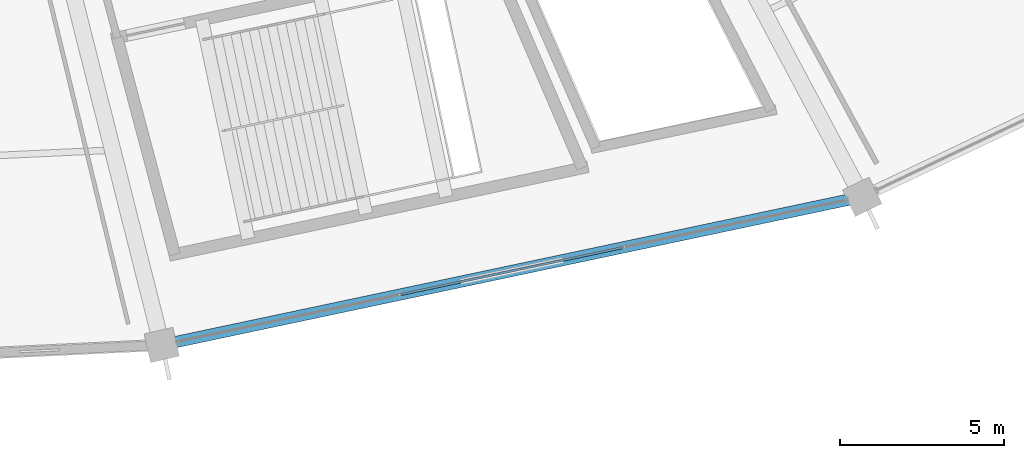
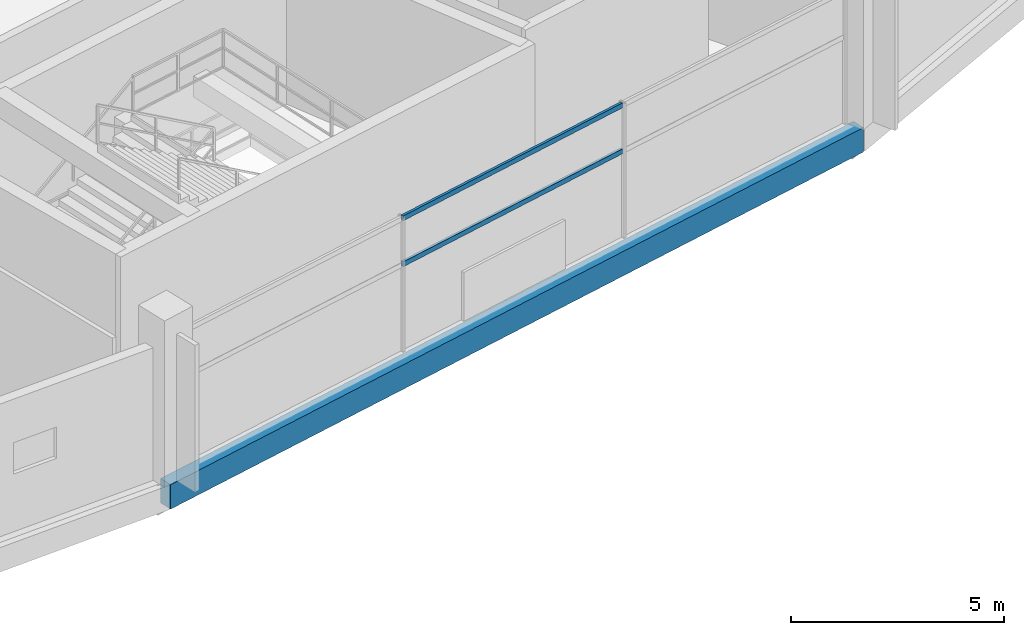
# One storey, part 40 of 156: 2 members, 1 beam, 1 element without a shape of its own.
"""IFC4 building model written with IfcOpenShell, lengths in metres."""

from ifc_helpers import new_model, si_unit, direction, frame, origin, origin_2d, place, context, subcontext, project, spatial, rectangle, hollow_rectangle, extrude, material, layer, layer_set, material_profile, profile_set, type_object, element, aggregate, save


model = new_model("IFC4")

# Units and contexts
model_context = context("Model", 3, precision=1e-05, world=origin(), true_north=direction((0.0, 1.0)))
body_context = subcontext(model_context, "Body", "Model", "MODEL_VIEW")
ifc_project = project(units=[si_unit("LENGTHUNIT", "METRE"), si_unit("AREAUNIT", "SQUARE_METRE"), si_unit("VOLUMEUNIT", "CUBIC_METRE"), si_unit("PLANEANGLEUNIT", "RADIAN"), si_unit("MASSUNIT", "GRAM", prefix="KILO")], contexts=[model_context])

# Site, building, storey
site_placement = place(None, origin())
site = spatial("IfcSite", under=ifc_project, at=site_placement, CompositionType="ELEMENT")
building_placement = place(site_placement, origin())
building = spatial("IfcBuilding", under=site, at=building_placement, Name="Kazemori Nagisa Stadium", CompositionType="ELEMENT")
storey_placement = place(building_placement, frame((0.0, 0.0, 5.780029296875)))
storey = spatial("IfcBuildingStorey", under=building, at=storey_placement, Name="L01", CompositionType="ELEMENT", Elevation=5.780029296875)

# Beam
ifc_material_1 = material(Name="Concrete C40/50 (Fc42)", Category="concrete")
ifc_material_profile_1 = material_profile(ifc_material_1, rectangle(XDim=0.35009765625, YDim=0.699951171875, at=origin_2d()), Name="RC-SP-350x700")
ifc_profile_set_1 = profile_set([ifc_material_profile_1], Name="Concrete C40/50 (Fc42)")
beam_type = type_object("IfcBeamType", Name="Beam_BS-RC350X700", PredefinedType="SPANDREL", material=ifc_profile_set_1)
beam_placement = place(storey_placement, frame((144.427734375, 17.01318359375, -0.630126953125), z_axis=(0.97834587432, 0.206976689994, 0.0), x_axis=(-0.206976689994, 0.97834587432, 0.0)))
element("IfcBeam", 1, at=beam_placement, inside=storey, type_object=beam_type, Name="Ring girder BS-RC350X700 L01 R3-23", PredefinedType="SPANDREL", context=body_context, shape_type="SweptSolid", body=[
    extrude(rectangle(XDim=0.35009765625, YDim=0.699951171875, at=origin_2d()), origin(), (0.0, 0.0, 1.0), 21.85009765625),
])

# Curtain wall, members
ifc_material_2 = material(Name="Anodised aluminium 6063-T5", Category="aluminium")
ifc_layer = layer(ifc_material_2, 0.179931640625, Name="Anodised aluminium 6063-T5", Category="aluminium")
ifc_layer_set = layer_set([ifc_layer], Name="Anodised aluminium 6063-T5")
curtain_wall_type = type_object("IfcCurtainWallType", Name="CW_L01R3_105", PredefinedType="USERDEFINED", material=ifc_layer_set)
curtain_wall_placement = place(storey_placement, origin())
curtain_wall = element("IfcCurtainWall", 2, at=curtain_wall_placement, inside=storey, type_object=curtain_wall_type, Name="Unitised curtain wall CW-L01R3-105 L01", ObjectType="UNITISED CURTAIN WALL", PredefinedType="USERDEFINED")
ifc_material_3 = material(Name="Aluminium 6063-T5 anodised", Category="aluminium")
ifc_material_profile_2 = material_profile(ifc_material_3, hollow_rectangle(XDim=0.070068359375, YDim=0.139892578125, WallThickness=0.00390625, at=origin_2d()), Name="ALU-TRAN-70x140x4")
ifc_profile_set_2 = profile_set([ifc_material_profile_2], Name="Aluminium 6063-T5 anodised")
member_type = type_object("IfcMemberType", Name="Transom_T01", PredefinedType="USERDEFINED", material=ifc_profile_set_2)
member_1_placement = place(storey_placement, frame((151.727783203125, 18.5576171875, 2.4638671875), z_axis=(0.978348879673, 0.20696248366, 0.0), x_axis=(-0.20696248366, 0.978348879673, 0.0)))
member_1 = element("IfcMember", 3, at=member_1_placement, type_object=member_type, Name="Curtain wall transom CW-L01R3-105-T2-mid", ObjectType="TRANSOM", PredefinedType="USERDEFINED", context=body_context, shape_type="SweptSolid", body=[
    extrude(hollow_rectangle(XDim=0.070068359375, YDim=0.139892578125, WallThickness=0.00390625, at=origin_2d()), origin(), (0.0, 0.0, 1.0), 6.9267578125),
])
member_2_placement = place(storey_placement, frame((151.727783203125, 18.5576171875, 3.780029296875), z_axis=(0.978348879673, 0.20696248366, 0.0), x_axis=(-0.20696248366, 0.978348879673, 0.0)))
member_2 = element("IfcMember", 4, at=member_2_placement, type_object=member_type, Name="Curtain wall transom CW-L01R3-105-T2-head", ObjectType="TRANSOM", PredefinedType="USERDEFINED", context=body_context, shape_type="SweptSolid", body=[
    extrude(hollow_rectangle(XDim=0.070068359375, YDim=0.139892578125, WallThickness=0.00390625, at=origin_2d()), origin(), (0.0, 0.0, 1.0), 6.9267578125),
])
aggregate(curtain_wall, [member_1, member_2])

save(model, "model.ifc")
